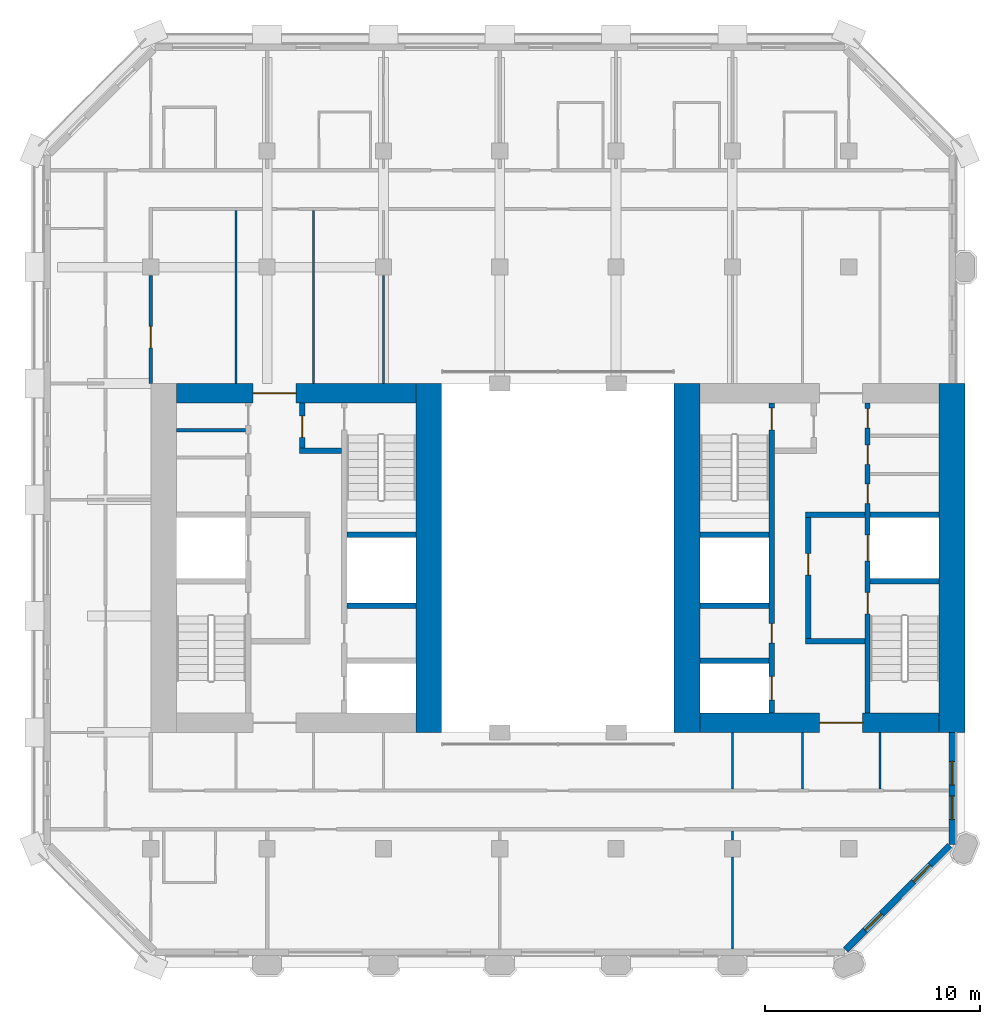
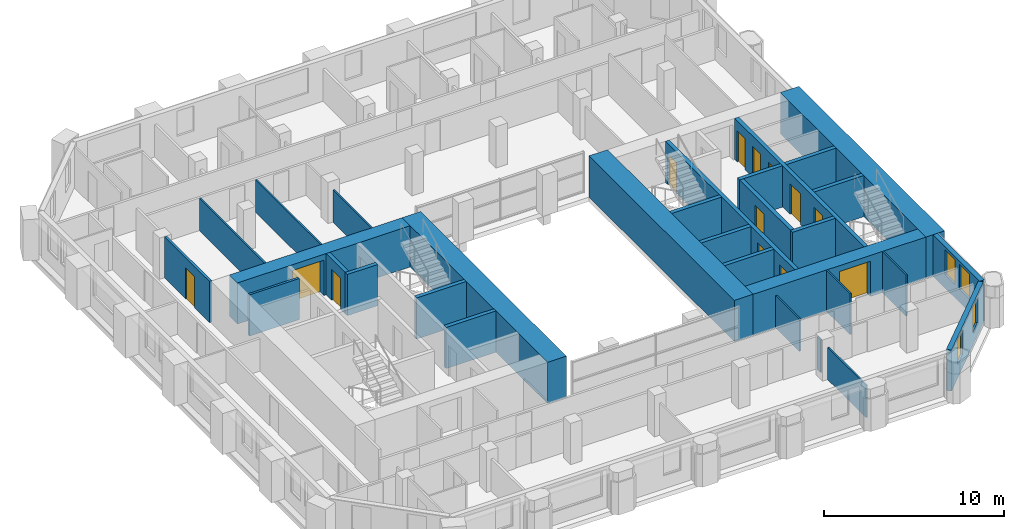
# One storey, part 8 of 14: 31 walls, 13 doors, 4 windows, 17 openings.
"""IFC4 building model written with IfcOpenShell, lengths in metres."""

from ifc_helpers import new_model, si_unit, direction, frame, frame_2d, origin, place, context, subcontext, project, spatial, rectangle, extrude, material, layer, layer_set, type_object, element, fill, save


model = new_model("IFC4")

# Units and contexts
model_context = context("Model", 3, precision=1e-05, world=origin(), true_north=direction((0.0, 1.0)))
body_context = subcontext(model_context, "Body", "Model", "MODEL_VIEW")
ifc_project = project(units=[si_unit("LENGTHUNIT", "METRE"), si_unit("AREAUNIT", "SQUARE_METRE"), si_unit("VOLUMEUNIT", "CUBIC_METRE"), si_unit("PLANEANGLEUNIT", "RADIAN"), si_unit("MASSUNIT", "GRAM", prefix="KILO")], contexts=[model_context])

# Site, building, storey
site_placement = place(None, origin())
site = spatial("IfcSite", under=ifc_project, at=site_placement, CompositionType="ELEMENT")
building_placement = place(site_placement, origin())
building = spatial("IfcBuilding", under=site, at=building_placement, Name="Tabaq Tower and Sports Hall", CompositionType="ELEMENT")
storey_placement = place(building_placement, frame((0.0, 0.0, 230.199951171875)))
storey = spatial("IfcBuildingStorey", under=building, at=storey_placement, Name="L58", CompositionType="ELEMENT", Elevation=230.199951171875)

# Walls
ifc_material_1 = material(Name="Blockwork", Category="masonry")
ifc_layer_1 = layer(ifc_material_1, 0.14990234375)
ifc_layer_set_1 = layer_set([ifc_layer_1], Name="Core room partition 150 Blockwork")
wall_type_1 = type_object("IfcWallType", Name="Core room partition 150 Blockwork", PredefinedType="PARTITIONING", material=ifc_layer_set_1)
wall_1_placement = place(storey_placement, frame((6.60009765625, 30.23193359375, 0.0), z_axis=(0.0, 0.0, 1.0), x_axis=(1.0, 0.0, 0.0)))
element("IfcWall", 1, at=wall_1_placement, inside=storey, type_object=wall_type_1, Name="Core room partition W L58", PredefinedType="PARTITIONING", context=body_context, shape_type="SweptSolid", body=[
    extrude(rectangle(XDim=3.199951171875, YDim=0.14990234375, at=frame_2d((1.60009765625, 0.0))), origin(), (0.0, 0.0, 1.0), 2.800048828125),
])
ifc_material_2 = material(Name="Concrete C50/60", Category="concrete")
ifc_layer_2 = layer(ifc_material_2, 1.199951171875)
ifc_layer_set_2 = layer_set([ifc_layer_2], Name="Core wall 1200 Concrete C50/60")
wall_type_2 = type_object("IfcWallType", Name="Core wall 1200 Concrete C50/60", PredefinedType="SOLIDWALL", material=ifc_layer_set_2)
for number, where, z_axis, x_axis, name in (
    (2, (18.300048828125, 32.39990234375, 0.0), (0.0, 0.0, 1.0), (0.0, -1.0, 0.0), "Core wall W L58"),
    (3, (42.60009765625, 32.39990234375, 0.0), (0.0, 0.0, 1.0), (0.0, -1.0, 0.0), "Core wall E L58"),
    (4, (30.300048828125, 16.199951171875, 0.0), (0.0, 0.0, 1.0), (0.0, 1.0, 0.0), "Core wall E L58"),
):
    element("IfcWall", number, at=place(storey_placement, frame(where, z_axis=z_axis, x_axis=x_axis)), inside=storey, type_object=wall_type_2, Name=name, PredefinedType="SOLIDWALL", context=body_context, shape_type="SweptSolid", body=[
        extrude(rectangle(XDim=16.199951171875, YDim=1.199951171875, at=frame_2d((8.10009765625, 0.0))), origin(), (0.0, 0.0, 1.0), 2.800048828125),
    ])

# Wall, opening, door
ifc_material_3 = material(Name="Concrete C50/60", Category="concrete")
ifc_layer_3 = layer(ifc_material_3, 0.89990234375)
ifc_layer_set_3 = layer_set([ifc_layer_3], Name="Core wall 900 Concrete C50/60")
wall_type_3 = type_object("IfcWallType", Name="Core wall 900 Concrete C50/60", PredefinedType="SOLIDWALL", material=ifc_layer_set_3)
wall_2_placement = place(storey_placement, frame((6.60009765625, 31.949951171875, 0.0), z_axis=(0.0, 0.0, 1.0), x_axis=(1.0, 0.0, 0.0)))
wall_2 = element("IfcWall", 5, at=wall_2_placement, inside=storey, type_object=wall_type_3, Name="Core wall W L58", PredefinedType="SOLIDWALL", context=body_context, shape_type="SweptSolid", body=[
    extrude(rectangle(XDim=11.099853515625, YDim=0.89990234375, at=frame_2d((5.5498046875, 0.0))), origin(), (0.0, 0.0, 1.0), 2.800048828125),
])
opening_1_placement = place(wall_2_placement, frame((3.550048828125, 0.0, 0.0)))
opening_1 = element("IfcOpeningElement", 6, at=opening_1_placement, cuts=wall_2, Name="Opening PD-WL58-02", PredefinedType="OPENING", context=body_context, shape_type="SweptSolid", body=[
    extrude(rectangle(XDim=2.0, YDim=2.39990234375, at=frame_2d((1.0, 1.199951171875))), frame((0.0, 0.449951171875, 0.0), z_axis=(0.0, -1.0, 0.0), x_axis=(1.0, 0.0, 0.0)), (0.0, 0.0, 1.0), 0.89990234375),
])
ifc_material_4 = material(Name="Steel fire door", Category="steel")
door_type_1 = type_object("IfcDoorType", Name="Core entrance door 2000", OperationType="DOUBLE_DOOR_SINGLE_SWING", PredefinedType="DOOR", material=ifc_material_4)
door_1_placement = place(opening_1_placement, origin())
door_1 = element("IfcDoor", 7, at=door_1_placement, inside=storey, type_object=door_type_1, Name="Core entrance north W L58", OperationType="DOUBLE_DOOR_SINGLE_SWING", OverallHeight=2.39990234375, OverallWidth=2.0, PredefinedType="DOOR", context=body_context, shape_type="SweptSolid", body=[
    extrude(rectangle(XDim=2.0, YDim=2.39990234375, at=frame_2d((1.0, 1.199951171875))), frame((0.0, 0.02490234375, 0.0), z_axis=(0.0, -1.0, 0.0), x_axis=(1.0, 0.0, 0.0)), (0.0, 0.0, 1.0), 0.050048828125),
])
fill(opening_1, door_1)

wall_3_placement = place(storey_placement, frame((42.0, 16.64990234375, 0.0), z_axis=(0.0, 0.0, 1.0), x_axis=(-1.0, 0.0, 0.0)))
wall_3 = element("IfcWall", 8, at=wall_3_placement, inside=storey, type_object=wall_type_3, Name="Core wall E L58", PredefinedType="SOLIDWALL", context=body_context, shape_type="SweptSolid", body=[
    extrude(rectangle(XDim=11.10009765625, YDim=0.89990234375, at=frame_2d((5.550048828125, 0.0))), origin(), (0.0, 0.0, 1.0), 2.800048828125),
])
opening_2_placement = place(wall_3_placement, frame((3.550048828125, 0.0, 0.0)))
opening_2 = element("IfcOpeningElement", 9, at=opening_2_placement, cuts=wall_3, Name="Opening PD-EL58-01", PredefinedType="OPENING", context=body_context, shape_type="SweptSolid", body=[
    extrude(rectangle(XDim=2.0, YDim=2.39990234375, at=frame_2d((1.0, 1.199951171875))), frame((0.0, 0.449951171875, 0.0), z_axis=(0.0, -1.0, 0.0), x_axis=(1.0, 0.0, 0.0)), (0.0, 0.0, 1.0), 0.89990234375),
])
door_2_placement = place(opening_2_placement, origin())
door_2 = element("IfcDoor", 10, at=door_2_placement, inside=storey, type_object=door_type_1, Name="Core entrance south E L58", OperationType="DOUBLE_DOOR_SINGLE_SWING", OverallHeight=2.39990234375, OverallWidth=2.0, PredefinedType="DOOR", context=body_context, shape_type="SweptSolid", body=[
    extrude(rectangle(XDim=2.0, YDim=2.39990234375, at=frame_2d((1.0, 1.199951171875))), frame((0.0, 0.02490234375, 0.0), z_axis=(0.0, -1.0, 0.0), x_axis=(1.0, 0.0, 0.0)), (0.0, 0.0, 1.0), 0.050048828125),
])
fill(opening_2, door_2)

# Walls
ifc_material_5 = material(Name="Gypsum board on steel studs", Category="steel")
ifc_layer_4 = layer(ifc_material_5, 0.10009765625)
ifc_layer_set_4 = layer_set([ifc_layer_4], Name="Partition 100 Gypsum board")
wall_type_4 = type_object("IfcWallType", Name="Partition 100 Gypsum board", PredefinedType="PARTITIONING", material=ifc_layer_set_4)
wall_4_placement = place(storey_placement, frame((16.199951171875, 37.405029296875, 0.0), z_axis=(0.0, 0.0, 1.0), x_axis=(0.0, -1.0, 0.0)))
element("IfcWall", 11, at=wall_4_placement, inside=storey, type_object=wall_type_4, Name="Partition wall L58", PredefinedType="PARTITIONING", context=body_context, shape_type="SweptSolid", body=[
    extrude(rectangle(XDim=5.005126953125, YDim=0.10009765625, at=frame_2d((2.50244140625, 0.0))), origin(), (0.0, 0.0, 1.0), 2.199951171875),
])
for number, where, z_axis, x_axis, name in (
    (12, (12.949951171875, 32.39990234375, 0.0), (0.0, 0.0, 1.0), (0.0, 1.0, 0.0), "Partition wall L58"),
    (13, (9.35009765625, 40.425048828125, 0.0), (0.0, 0.0, 1.0), (0.0, -1.0, 0.0), "Partition wall L58"),
):
    element("IfcWall", number, at=place(storey_placement, frame(where, z_axis=z_axis, x_axis=x_axis)), inside=storey, type_object=wall_type_4, Name=name, PredefinedType="PARTITIONING", context=body_context, shape_type="SweptSolid", body=[
        extrude(rectangle(XDim=8.025146484375, YDim=0.10009765625, at=frame_2d((4.0126953125, 0.0))), origin(), (0.0, 0.0, 1.0), 2.199951171875),
    ])
wall_5_placement = place(storey_placement, frame((32.39990234375, 11.625, 0.0), z_axis=(0.0, 0.0, 1.0), x_axis=(0.0, -1.0, 0.0)))
element("IfcWall", 14, at=wall_5_placement, inside=storey, type_object=wall_type_4, Name="Partition wall L58", PredefinedType="PARTITIONING", context=body_context, shape_type="SweptSolid", body=[
    extrude(rectangle(XDim=0.429931640625, YDim=0.10009765625, at=frame_2d((0.21484375, 0.0))), origin(), (0.0, 0.0, 1.0), 2.199951171875),
])
wall_6_placement = place(storey_placement, frame((32.39990234375, 10.405029296875, 0.0), z_axis=(0.0, 0.0, 1.0), x_axis=(0.0, -1.0, 0.0)))
element("IfcWall", 15, at=wall_6_placement, inside=storey, type_object=wall_type_4, Name="Partition wall L58", PredefinedType="PARTITIONING", context=body_context, shape_type="SweptSolid", body=[
    extrude(rectangle(XDim=4.254150390625, YDim=0.10009765625, at=frame_2d((2.126953125, 0.0))), origin(), (0.0, 0.0, 1.0), 2.199951171875),
])
wall_7_placement = place(storey_placement, frame((32.39990234375, 13.574951171875, 0.0), z_axis=(0.0, 0.0, 1.0), x_axis=(0.0, 1.0, 0.0)))
element("IfcWall", 16, at=wall_7_placement, inside=storey, type_object=wall_type_4, Name="Partition wall L58", PredefinedType="PARTITIONING", context=body_context, shape_type="SweptSolid", body=[
    extrude(rectangle(XDim=2.625, YDim=0.10009765625, at=frame_2d((1.3125, 0.0))), origin(), (0.0, 0.0, 1.0), 2.199951171875),
])
for number, where, z_axis, x_axis, name in (
    (17, (39.25, 13.574951171875, 0.0), (0.0, 0.0, 1.0), (0.0, 1.0, 0.0), "Partition wall L58"),
    (18, (35.64990234375, 16.199951171875, 0.0), (0.0, 0.0, 1.0), (0.0, -1.0, 0.0), "Partition wall L58"),
):
    element("IfcWall", number, at=place(storey_placement, frame(where, z_axis=z_axis, x_axis=x_axis)), inside=storey, type_object=wall_type_4, Name=name, PredefinedType="PARTITIONING", context=body_context, shape_type="SweptSolid", body=[
        extrude(rectangle(XDim=2.625, YDim=0.10009765625, at=frame_2d((1.3125, 0.0))), origin(), (0.0, 0.0, 1.0), 2.800048828125),
    ])

# Wall, opening, door
ifc_material_6 = material(Name="Blockwork", Category="masonry")
ifc_layer_5 = layer(ifc_material_6, 0.14990234375)
ifc_layer_set_5 = layer_set([ifc_layer_5], Name="Separating wall 150 Blockwork")
wall_type_5 = type_object("IfcWallType", Name="Separating wall 150 Blockwork", PredefinedType="PARTITIONING", material=ifc_layer_set_5)
wall_8_placement = place(storey_placement, frame((5.39990234375, 32.39990234375, 0.0), z_axis=(0.0, 0.0, 1.0), x_axis=(0.0, 1.0, 0.0)))
wall_8 = element("IfcWall", 19, at=wall_8_placement, inside=storey, type_object=wall_type_5, Name="Separating wall L58", PredefinedType="PARTITIONING", context=body_context, shape_type="SweptSolid", body=[
    extrude(rectangle(XDim=5.005126953125, YDim=0.14990234375, at=frame_2d((2.50244140625, 0.0))), origin(), (0.0, 0.0, 1.0), 2.800048828125),
])
opening_3_placement = place(wall_8_placement, frame((1.654052734375, 0.0, 0.0)))
opening_3 = element("IfcOpeningElement", 20, at=opening_3_placement, cuts=wall_8, Name="Opening L58-011", PredefinedType="OPENING", context=body_context, shape_type="SweptSolid", body=[
    extrude(rectangle(XDim=1.0, YDim=2.10009765625, at=frame_2d((0.5, 1.050048828125))), frame((0.0, 0.074951171875, 0.0), z_axis=(0.0, -1.0, 0.0), x_axis=(1.0, 0.0, 0.0)), (0.0, 0.0, 1.0), 0.14990234375),
])
ifc_material_7 = material(Name="Timber leaf in steel frame", Category="steel")
door_type_2 = type_object("IfcDoorType", Name="Internal door 1000 right hand", OperationType="SINGLE_SWING_RIGHT", PredefinedType="DOOR", material=ifc_material_7)
door_3_placement = place(opening_3_placement, origin())
door_3 = element("IfcDoor", 21, at=door_3_placement, inside=storey, type_object=door_type_2, Name="Internal door L58-011", OperationType="SINGLE_SWING_RIGHT", OverallHeight=2.10009765625, OverallWidth=1.0, PredefinedType="DOOR", context=body_context, shape_type="SweptSolid", body=[
    extrude(rectangle(XDim=1.0, YDim=2.10009765625, at=frame_2d((0.5, 1.050048828125))), frame((0.0, 0.02490234375, 0.0), z_axis=(0.0, -1.0, 0.0), x_axis=(1.0, 0.0, 0.0)), (0.0, 0.0, 1.0), 0.050048828125),
])
fill(opening_3, door_3)

# Walls
ifc_material_8 = material(Name="Concrete C40/50", Category="concrete")
ifc_layer_6 = layer(ifc_material_8, 0.25)
ifc_layer_set_6 = layer_set([ifc_layer_6], Name="Shaft and stair wall 250 Concrete C40/50")
wall_type_6 = type_object("IfcWallType", Name="Shaft and stair wall 250 Concrete C40/50", PredefinedType="SOLIDWALL", material=ifc_layer_set_6)
for number, where, z_axis, x_axis, name in (
    (22, (14.5, 25.375, 0.0), (0.0, 0.0, 1.0), (1.0, 0.0, 0.0), "Stair enclosure wall W L58"),
    (23, (14.5, 22.074951171875, 0.0), (0.0, 0.0, 1.0), (1.0, 0.0, 0.0), "Shaft wall W L58"),
):
    element("IfcWall", number, at=place(storey_placement, frame(where, z_axis=z_axis, x_axis=x_axis)), inside=storey, type_object=wall_type_6, Name=name, PredefinedType="SOLIDWALL", context=body_context, shape_type="SweptSolid", body=[
        extrude(rectangle(XDim=3.199951171875, YDim=0.25, at=frame_2d((1.60009765625, 0.0))), origin(), (0.0, 0.0, 1.0), 2.800048828125),
    ])

# Wall, opening, door
wall_9_placement = place(storey_placement, frame((12.425048828125, 29.39990234375, 0.0), z_axis=(0.0, 0.0, 1.0), x_axis=(0.0, 1.0, 0.0)))
wall_9 = element("IfcWall", 24, at=wall_9_placement, inside=storey, type_object=wall_type_6, Name="Fire-fighting lobby wall W L58", PredefinedType="SOLIDWALL", context=body_context, shape_type="SweptSolid", body=[
    extrude(rectangle(XDim=2.10009765625, YDim=0.25, at=frame_2d((1.050048828125, 0.0))), origin(), (0.0, 0.0, 1.0), 2.800048828125),
])
opening_4_placement = place(wall_9_placement, frame((0.5, 0.0, 0.0)))
opening_4 = element("IfcOpeningElement", 25, at=opening_4_placement, cuts=wall_9, Name="Opening FD-WL58-06", PredefinedType="OPENING", context=body_context, shape_type="SweptSolid", body=[
    extrude(rectangle(XDim=1.0, YDim=2.10009765625, at=frame_2d((0.5, 1.050048828125))), frame((0.0, 0.125, 0.0), z_axis=(0.0, -1.0, 0.0), x_axis=(1.0, 0.0, 0.0)), (0.0, 0.0, 1.0), 0.25),
])
ifc_material_9 = material(Name="Steel fire door", Category="steel")
door_type_3 = type_object("IfcDoorType", Name="Fire-fighting lobby door 1000", OperationType="SINGLE_SWING_LEFT", PredefinedType="DOOR", material=ifc_material_9)
door_4_placement = place(opening_4_placement, origin())
door_4 = element("IfcDoor", 26, at=door_4_placement, inside=storey, type_object=door_type_3, Name="Stair lobby door W L58", OperationType="SINGLE_SWING_LEFT", OverallHeight=2.10009765625, OverallWidth=1.0, PredefinedType="DOOR", context=body_context, shape_type="SweptSolid", body=[
    extrude(rectangle(XDim=1.0, YDim=2.10009765625, at=frame_2d((0.5, 1.050048828125))), frame((0.0, 0.02490234375, 0.0), z_axis=(0.0, -1.0, 0.0), x_axis=(1.0, 0.0, 0.0)), (0.0, 0.0, 1.0), 0.050048828125),
])
fill(opening_4, door_4)

# Wall
wall_10_placement = place(storey_placement, frame((12.300048828125, 29.27490234375, 0.0), z_axis=(0.0, 0.0, 1.0), x_axis=(1.0, 0.0, 0.0)))
element("IfcWall", 27, at=wall_10_placement, inside=storey, type_object=wall_type_6, Name="Fire-fighting lobby wall W L58", PredefinedType="SOLIDWALL", context=body_context, shape_type="SweptSolid", body=[
    extrude(rectangle(XDim=1.949951171875, YDim=0.25, at=frame_2d((0.97509765625, 0.0))), origin(), (0.0, 0.0, 1.0), 2.800048828125),
])

# Wall, openings, doors
wall_11_placement = place(storey_placement, frame((38.675048828125, 17.10009765625, 0.0), z_axis=(0.0, 0.0, 1.0), x_axis=(0.0, 1.0, 0.0)))
wall_11 = element("IfcWall", 28, at=wall_11_placement, inside=storey, type_object=wall_type_6, Name="Shaft wall E L58", PredefinedType="SOLIDWALL", context=body_context, shape_type="SweptSolid", body=[
    extrude(rectangle(XDim=14.39990234375, YDim=0.25, at=frame_2d((7.199951171875, 0.0))), origin(), (0.0, 0.0, 1.0), 2.800048828125),
])
opening_5_placement = place(wall_11_placement, frame((4.60009765625, 0.0, 0.0)))
opening_5 = element("IfcOpeningElement", 29, at=opening_5_placement, cuts=wall_11, Name="Opening SD-EL58-03", PredefinedType="OPENING", context=body_context, shape_type="SweptSolid", body=[
    extrude(rectangle(XDim=1.0, YDim=2.10009765625, at=frame_2d((0.5, 1.050048828125))), frame((0.0, 0.125, 0.0), z_axis=(0.0, -1.0, 0.0), x_axis=(1.0, 0.0, 0.0)), (0.0, 0.0, 1.0), 0.25),
])
opening_6_placement = place(wall_11_placement, frame((7.0625, 0.0, 0.0)))
opening_6 = element("IfcOpeningElement", 30, at=opening_6_placement, cuts=wall_11, Name="Opening LD-FF2-L58", PredefinedType="OPENING", context=body_context, shape_type="SweptSolid", body=[
    extrude(rectangle(XDim=1.199951171875, YDim=2.10009765625, at=frame_2d((0.60009765625, 1.050048828125))), frame((0.0, 0.125, 0.0), z_axis=(0.0, -1.0, 0.0), x_axis=(1.0, 0.0, 0.0)), (0.0, 0.0, 1.0), 0.25),
])
opening_7_placement = place(wall_11_placement, frame((9.7255859375, 0.0, 0.0)))
opening_7 = element("IfcOpeningElement", 31, at=opening_7_placement, cuts=wall_11, Name="Opening RD-EL58-09", PredefinedType="OPENING", context=body_context, shape_type="SweptSolid", body=[
    extrude(rectangle(XDim=0.89990234375, YDim=2.10009765625, at=frame_2d((0.449951171875, 1.050048828125))), frame((0.0, 0.125, 0.0), z_axis=(0.0, -1.0, 0.0), x_axis=(1.0, 0.0, 0.0)), (0.0, 0.0, 1.0), 0.25),
])
opening_8_placement = place(wall_11_placement, frame((11.5390625, 0.0, 0.0)))
opening_8 = element("IfcOpeningElement", 32, at=opening_8_placement, cuts=wall_11, Name="Opening RD-EL58-10", PredefinedType="OPENING", context=body_context, shape_type="SweptSolid", body=[
    extrude(rectangle(XDim=0.89990234375, YDim=2.10009765625, at=frame_2d((0.449951171875, 1.050048828125))), frame((0.0, 0.125, 0.0), z_axis=(0.0, -1.0, 0.0), x_axis=(1.0, 0.0, 0.0)), (0.0, 0.0, 1.0), 0.25),
])
opening_9_placement = place(wall_11_placement, frame((13.22607421875, 0.0, 0.0)))
opening_9 = element("IfcOpeningElement", 33, at=opening_9_placement, cuts=wall_11, Name="Opening RD-EL58-11", PredefinedType="OPENING", context=body_context, shape_type="SweptSolid", body=[
    extrude(rectangle(XDim=0.89990234375, YDim=2.10009765625, at=frame_2d((0.449951171875, 1.050048828125))), frame((0.0, 0.125, 0.0), z_axis=(0.0, -1.0, 0.0), x_axis=(1.0, 0.0, 0.0)), (0.0, 0.0, 1.0), 0.25),
])
ifc_material_10 = material(Name="Steel fire door", Category="steel")
door_type_4 = type_object("IfcDoorType", Name="Core room door 900", OperationType="SINGLE_SWING_LEFT", PredefinedType="DOOR", material=ifc_material_10)
door_5_placement = place(opening_7_placement, origin())
door_5 = element("IfcDoor", 34, at=door_5_placement, inside=storey, type_object=door_type_4, Name="Door Accessible WC E L58", OperationType="SINGLE_SWING_LEFT", OverallHeight=2.10009765625, OverallWidth=0.89990234375, PredefinedType="DOOR", context=body_context, shape_type="SweptSolid", body=[
    extrude(rectangle(XDim=0.89990234375, YDim=2.10009765625, at=frame_2d((0.449951171875, 1.050048828125))), frame((0.0, 0.02490234375, 0.0), z_axis=(0.0, -1.0, 0.0), x_axis=(1.0, 0.0, 0.0)), (0.0, 0.0, 1.0), 0.050048828125),
])
fill(opening_7, door_5)
door_6_placement = place(opening_8_placement, origin())
door_6 = element("IfcDoor", 35, at=door_6_placement, inside=storey, type_object=door_type_4, Name="Door Unisex WC E L58", OperationType="SINGLE_SWING_LEFT", OverallHeight=2.10009765625, OverallWidth=0.89990234375, PredefinedType="DOOR", context=body_context, shape_type="SweptSolid", body=[
    extrude(rectangle(XDim=0.89990234375, YDim=2.10009765625, at=frame_2d((0.449951171875, 1.050048828125))), frame((0.0, 0.02490234375, 0.0), z_axis=(0.0, -1.0, 0.0), x_axis=(1.0, 0.0, 0.0)), (0.0, 0.0, 1.0), 0.050048828125),
])
fill(opening_8, door_6)
door_7_placement = place(opening_9_placement, origin())
door_7 = element("IfcDoor", 36, at=door_7_placement, inside=storey, type_object=door_type_4, Name="Door Cleaner's Store E L58", OperationType="SINGLE_SWING_LEFT", OverallHeight=2.10009765625, OverallWidth=0.89990234375, PredefinedType="DOOR", context=body_context, shape_type="SweptSolid", body=[
    extrude(rectangle(XDim=0.89990234375, YDim=2.10009765625, at=frame_2d((0.449951171875, 1.050048828125))), frame((0.0, 0.02490234375, 0.0), z_axis=(0.0, -1.0, 0.0), x_axis=(1.0, 0.0, 0.0)), (0.0, 0.0, 1.0), 0.050048828125),
])
fill(opening_9, door_7)
ifc_material_11 = material(Name="Stainless steel", Category="steel")
door_type_5 = type_object("IfcDoorType", Name="Lift landing door 1200", OperationType="DOUBLE_DOOR_SLIDING", PredefinedType="DOOR", material=ifc_material_11)
door_8_placement = place(opening_6_placement, origin())
door_8 = element("IfcDoor", 37, at=door_8_placement, inside=storey, type_object=door_type_5, Name="Lift landing door FF2 E L58", OperationType="DOUBLE_DOOR_SLIDING", OverallHeight=2.10009765625, OverallWidth=1.199951171875, PredefinedType="DOOR", context=body_context, shape_type="SweptSolid", body=[
    extrude(rectangle(XDim=1.199951171875, YDim=2.10009765625, at=frame_2d((0.60009765625, 1.050048828125))), frame((0.0, 0.02490234375, 0.0), z_axis=(0.0, -1.0, 0.0), x_axis=(1.0, 0.0, 0.0)), (0.0, 0.0, 1.0), 0.050048828125),
])
fill(opening_6, door_8)
ifc_material_12 = material(Name="Steel fire door", Category="steel")
door_type_6 = type_object("IfcDoorType", Name="Stair door 1000", OperationType="SINGLE_SWING_LEFT", PredefinedType="DOOR", material=ifc_material_12)
door_9_placement = place(opening_5_placement, origin())
door_9 = element("IfcDoor", 38, at=door_9_placement, inside=storey, type_object=door_type_6, Name="Stair door ST3 E L58", OperationType="SINGLE_SWING_LEFT", OverallHeight=2.10009765625, OverallWidth=1.0, PredefinedType="DOOR", context=body_context, shape_type="SweptSolid", body=[
    extrude(rectangle(XDim=1.0, YDim=2.10009765625, at=frame_2d((0.5, 1.050048828125))), frame((0.0, 0.02490234375, 0.0), z_axis=(0.0, -1.0, 0.0), x_axis=(1.0, 0.0, 0.0)), (0.0, 0.0, 1.0), 0.050048828125),
])
fill(opening_5, door_9)

wall_12_placement = place(storey_placement, frame((34.22509765625, 17.10009765625, 0.0), z_axis=(0.0, 0.0, 1.0), x_axis=(0.0, 1.0, 0.0)))
wall_12 = element("IfcWall", 39, at=wall_12_placement, inside=storey, type_object=wall_type_6, Name="Shaft wall E L58", PredefinedType="SOLIDWALL", context=body_context, shape_type="SweptSolid", body=[
    extrude(rectangle(XDim=14.39990234375, YDim=0.25, at=frame_2d((7.199951171875, 0.0))), origin(), (0.0, 0.0, 1.0), 2.800048828125),
])
opening_10_placement = place(wall_12_placement, frame((13.14990234375, 0.0, 0.0)))
opening_10 = element("IfcOpeningElement", 40, at=opening_10_placement, cuts=wall_12, Name="Opening SD-EL58-05", PredefinedType="OPENING", context=body_context, shape_type="SweptSolid", body=[
    extrude(rectangle(XDim=1.0, YDim=2.10009765625, at=frame_2d((0.5, 1.050048828125))), frame((0.0, 0.125, 0.0), z_axis=(0.0, -1.0, 0.0), x_axis=(1.0, 0.0, 0.0)), (0.0, 0.0, 1.0), 0.25),
])
opening_11_placement = place(wall_12_placement, frame((0.60009765625, 0.0, 0.0)))
opening_11 = element("IfcOpeningElement", 41, at=opening_11_placement, cuts=wall_12, Name="Opening LD-MR2-L58", PredefinedType="OPENING", context=body_context, shape_type="SweptSolid", body=[
    extrude(rectangle(XDim=1.10009765625, YDim=2.10009765625, at=frame_2d((0.550048828125, 1.050048828125))), frame((0.0, 0.125, 0.0), z_axis=(0.0, -1.0, 0.0), x_axis=(1.0, 0.0, 0.0)), (0.0, 0.0, 1.0), 0.25),
])
opening_12_placement = place(wall_12_placement, frame((3.25, 0.0, 0.0)))
opening_12 = element("IfcOpeningElement", 42, at=opening_12_placement, cuts=wall_12, Name="Opening RD-EL58-12", PredefinedType="OPENING", context=body_context, shape_type="SweptSolid", body=[
    extrude(rectangle(XDim=0.89990234375, YDim=2.10009765625, at=frame_2d((0.449951171875, 1.050048828125))), frame((0.0, 0.125, 0.0), z_axis=(0.0, -1.0, 0.0), x_axis=(1.0, 0.0, 0.0)), (0.0, 0.0, 1.0), 0.25),
])
door_10_placement = place(opening_12_placement, origin())
door_10 = element("IfcDoor", 43, at=door_10_placement, inside=storey, type_object=door_type_4, Name="Door Cleaner's Store E L58", OperationType="SINGLE_SWING_LEFT", OverallHeight=2.10009765625, OverallWidth=0.89990234375, PredefinedType="DOOR", context=body_context, shape_type="SweptSolid", body=[
    extrude(rectangle(XDim=0.89990234375, YDim=2.10009765625, at=frame_2d((0.449951171875, 1.050048828125))), frame((0.0, 0.02490234375, 0.0), z_axis=(0.0, -1.0, 0.0), x_axis=(1.0, 0.0, 0.0)), (0.0, 0.0, 1.0), 0.050048828125),
])
fill(opening_12, door_10)
ifc_material_13 = material(Name="Stainless steel", Category="steel")
door_type_7 = type_object("IfcDoorType", Name="Lift landing door 1100", OperationType="DOUBLE_DOOR_SLIDING", PredefinedType="DOOR", material=ifc_material_13)
door_11_placement = place(opening_11_placement, origin())
door_11 = element("IfcDoor", 44, at=door_11_placement, inside=storey, type_object=door_type_7, Name="Lift landing door MR2 E L58", OperationType="DOUBLE_DOOR_SLIDING", OverallHeight=2.10009765625, OverallWidth=1.10009765625, PredefinedType="DOOR", context=body_context, shape_type="SweptSolid", body=[
    extrude(rectangle(XDim=1.10009765625, YDim=2.10009765625, at=frame_2d((0.550048828125, 1.050048828125))), frame((0.0, 0.02490234375, 0.0), z_axis=(0.0, -1.0, 0.0), x_axis=(1.0, 0.0, 0.0)), (0.0, 0.0, 1.0), 0.050048828125),
])
fill(opening_11, door_11)
door_12_placement = place(opening_10_placement, origin())
door_12 = element("IfcDoor", 45, at=door_12_placement, inside=storey, type_object=door_type_6, Name="Stair door ST4 E L58", OperationType="SINGLE_SWING_LEFT", OverallHeight=2.10009765625, OverallWidth=1.0, PredefinedType="DOOR", context=body_context, shape_type="SweptSolid", body=[
    extrude(rectangle(XDim=1.0, YDim=2.10009765625, at=frame_2d((0.5, 1.050048828125))), frame((0.0, 0.02490234375, 0.0), z_axis=(0.0, -1.0, 0.0), x_axis=(1.0, 0.0, 0.0)), (0.0, 0.0, 1.0), 0.050048828125),
])
fill(opening_10, door_12)

# Walls
wall_13_placement = place(storey_placement, frame((38.800048828125, 23.22509765625, 0.0), z_axis=(0.0, 0.0, 1.0), x_axis=(1.0, 0.0, 0.0)))
element("IfcWall", 46, at=wall_13_placement, inside=storey, type_object=wall_type_6, Name="Stair enclosure wall E L58", PredefinedType="SOLIDWALL", context=body_context, shape_type="SweptSolid", body=[
    extrude(rectangle(XDim=3.199951171875, YDim=0.25, at=frame_2d((1.60009765625, 0.0))), origin(), (0.0, 0.0, 1.0), 2.800048828125),
])
for number, where, z_axis, x_axis, name in (
    (47, (30.89990234375, 25.375, 0.0), (0.0, 0.0, 1.0), (1.0, 0.0, 0.0), "Stair enclosure wall E L58"),
    (48, (30.89990234375, 22.074951171875, 0.0), (0.0, 0.0, 1.0), (1.0, 0.0, 0.0), "Shaft wall E L58"),
):
    element("IfcWall", number, at=place(storey_placement, frame(where, z_axis=z_axis, x_axis=x_axis)), inside=storey, type_object=wall_type_6, Name=name, PredefinedType="SOLIDWALL", context=body_context, shape_type="SweptSolid", body=[
        extrude(rectangle(XDim=3.2001953125, YDim=0.25, at=frame_2d((1.60009765625, 0.0))), origin(), (0.0, 0.0, 1.0), 2.800048828125),
    ])
wall_14_placement = place(storey_placement, frame((38.800048828125, 26.300048828125, 0.0), z_axis=(0.0, 0.0, 1.0), x_axis=(1.0, 0.0, 0.0)))
element("IfcWall", 49, at=wall_14_placement, inside=storey, type_object=wall_type_6, Name="Shaft wall E L58", PredefinedType="SOLIDWALL", context=body_context, shape_type="SweptSolid", body=[
    extrude(rectangle(XDim=3.199951171875, YDim=0.25, at=frame_2d((1.60009765625, 0.0))), origin(), (0.0, 0.0, 1.0), 2.800048828125),
])
for number, where, z_axis, x_axis, name in (
    (50, (35.800048828125, 26.300048828125, 0.0), (0.0, 0.0, 1.0), (1.0, 0.0, 0.0), "Fire-fighting lobby wall E L58"),
    (51, (35.800048828125, 20.425048828125, 0.0), (0.0, 0.0, 1.0), (1.0, 0.0, 0.0), "Fire-fighting lobby wall E L58"),
):
    element("IfcWall", number, at=place(storey_placement, frame(where, z_axis=z_axis, x_axis=x_axis)), inside=storey, type_object=wall_type_6, Name=name, PredefinedType="SOLIDWALL", context=body_context, shape_type="SweptSolid", body=[
        extrude(rectangle(XDim=2.75, YDim=0.25, at=frame_2d((1.375, 0.0))), origin(), (0.0, 0.0, 1.0), 2.800048828125),
    ])

# Wall, opening, door
wall_15_placement = place(storey_placement, frame((35.925048828125, 20.550048828125, 0.0), z_axis=(0.0, 0.0, 1.0), x_axis=(0.0, 1.0, 0.0)))
wall_15 = element("IfcWall", 52, at=wall_15_placement, inside=storey, type_object=wall_type_6, Name="Fire-fighting lobby wall E L58", PredefinedType="SOLIDWALL", context=body_context, shape_type="SweptSolid", body=[
    extrude(rectangle(XDim=5.625, YDim=0.25, at=frame_2d((2.8125, 0.0))), origin(), (0.0, 0.0, 1.0), 2.800048828125),
])
opening_13_placement = place(wall_15_placement, frame((2.949951171875, 0.0, 0.0)))
opening_13 = element("IfcOpeningElement", 53, at=opening_13_placement, cuts=wall_15, Name="Opening FD-EL58-04", PredefinedType="OPENING", context=body_context, shape_type="SweptSolid", body=[
    extrude(rectangle(XDim=1.0, YDim=2.10009765625, at=frame_2d((0.5, 1.050048828125))), frame((0.0, 0.125, 0.0), z_axis=(0.0, -1.0, 0.0), x_axis=(1.0, 0.0, 0.0)), (0.0, 0.0, 1.0), 0.25),
])
door_13_placement = place(opening_13_placement, origin())
door_13 = element("IfcDoor", 54, at=door_13_placement, inside=storey, type_object=door_type_3, Name="Fire-fighting lobby door E L58", OperationType="SINGLE_SWING_LEFT", OverallHeight=2.10009765625, OverallWidth=1.0, PredefinedType="DOOR", context=body_context, shape_type="SweptSolid", body=[
    extrude(rectangle(XDim=1.0, YDim=2.10009765625, at=frame_2d((0.5, 1.050048828125))), frame((0.0, 0.02490234375, 0.0), z_axis=(0.0, -1.0, 0.0), x_axis=(1.0, 0.0, 0.0)), (0.0, 0.0, 1.0), 0.050048828125),
])
fill(opening_13, door_13)

# Wall
wall_16_placement = place(storey_placement, frame((30.89990234375, 19.52490234375, 0.0), z_axis=(0.0, 0.0, 1.0), x_axis=(1.0, 0.0, 0.0)))
element("IfcWall", 55, at=wall_16_placement, inside=storey, type_object=wall_type_6, Name="Shaft wall E L58", PredefinedType="SOLIDWALL", context=body_context, shape_type="SweptSolid", body=[
    extrude(rectangle(XDim=3.2001953125, YDim=0.25, at=frame_2d((1.60009765625, 0.0))), origin(), (0.0, 0.0, 1.0), 2.800048828125),
])

# Wall, openings, windows
ifc_material_14 = material(Name="White precast concrete C60/75", Category="concrete")
ifc_layer_7 = layer(ifc_material_14, 0.300048828125)
ifc_layer_set_7 = layer_set([ifc_layer_7], Name="White precast concrete C60/75 external wall 300")
wall_type_7 = type_object("IfcWallType", Name="White precast concrete C60/75 external wall 300", PredefinedType="SOLIDWALL", material=ifc_layer_set_7)
wall_17_placement = place(storey_placement, frame((37.650390625, 6.098876953125, 0.0), z_axis=(0.0, 0.0, 1.0), x_axis=(0.707106781187, 0.707106781187, 0.0)))
wall_17 = element("IfcWall", 56, at=wall_17_placement, inside=storey, type_object=wall_type_7, Name="External Wall L58 SE", PredefinedType="SOLIDWALL", context=body_context, shape_type="SweptSolid", body=[
    extrude(rectangle(XDim=6.85986328125, YDim=0.300048828125, at=frame_2d((3.429931640625, 0.0))), origin(), (0.0, 0.0, 1.0), 2.800048828125),
])
opening_14_placement = place(wall_17_placement, frame((1.27978515625, 0.0, 0.89990234375)))
opening_14 = element("IfcOpeningElement", 57, at=opening_14_placement, cuts=wall_17, Name="Opening W1B", PredefinedType="OPENING", context=body_context, shape_type="SweptSolid", body=[
    extrude(rectangle(XDim=1.10009765625, YDim=1.699951171875, at=frame_2d((0.550048828125, 0.85009765625))), frame((0.0, 0.16015625, 0.0), z_axis=(0.0, -1.0, 0.0), x_axis=(1.0, 0.0, 0.0)), (0.0, 0.0, 1.0), 0.320068359375),
])
opening_15_placement = place(wall_17_placement, frame((4.479736328125, 0.0, 0.89990234375)))
opening_15 = element("IfcOpeningElement", 58, at=opening_15_placement, cuts=wall_17, Name="Opening W1B", PredefinedType="OPENING", context=body_context, shape_type="SweptSolid", body=[
    extrude(rectangle(XDim=1.10009765625, YDim=1.699951171875, at=frame_2d((0.550048828125, 0.85009765625))), frame((0.0, 0.16015625, 0.0), z_axis=(0.0, -1.0, 0.0), x_axis=(1.0, 0.0, 0.0)), (0.0, 0.0, 1.0), 0.320068359375),
])
ifc_material_15 = material(Name="Aluminium framed clear glazing", Category="aluminium")
window_type = type_object("IfcWindowType", Name="Window W1B", PartitioningType="SINGLE_PANEL", PredefinedType="WINDOW", material=ifc_material_15)
window_1_placement = place(opening_14_placement, origin())
window_1 = element("IfcWindow", 59, at=window_1_placement, inside=storey, type_object=window_type, Name="Window W1B L58", OverallHeight=1.699951171875, OverallWidth=1.10009765625, PartitioningType="SINGLE_PANEL", PredefinedType="WINDOW", context=body_context, shape_type="SweptSolid", body=[
    extrude(rectangle(XDim=1.10009765625, YDim=1.699951171875, at=frame_2d((0.550048828125, 0.85009765625))), frame((0.0, 0.030029296875, 0.0), z_axis=(0.0, -1.0, 0.0), x_axis=(1.0, 0.0, 0.0)), (0.0, 0.0, 1.0), 0.06005859375),
])
fill(opening_14, window_1)
window_2_placement = place(opening_15_placement, origin())
window_2 = element("IfcWindow", 60, at=window_2_placement, inside=storey, type_object=window_type, Name="Window W1B L58", OverallHeight=1.699951171875, OverallWidth=1.10009765625, PartitioningType="SINGLE_PANEL", PredefinedType="WINDOW", context=body_context, shape_type="SweptSolid", body=[
    extrude(rectangle(XDim=1.10009765625, YDim=1.699951171875, at=frame_2d((0.550048828125, 0.85009765625))), frame((0.0, 0.030029296875, 0.0), z_axis=(0.0, -1.0, 0.0), x_axis=(1.0, 0.0, 0.0)), (0.0, 0.0, 1.0), 0.06005859375),
])
fill(opening_15, window_2)

wall_18_placement = place(storey_placement, frame((42.60009765625, 10.986328125, 0.0), z_axis=(0.0, 0.0, 1.0), x_axis=(0.0, 1.0, 0.0)))
wall_18 = element("IfcWall", 61, at=wall_18_placement, inside=storey, type_object=wall_type_7, Name="External Wall L58 E", PredefinedType="SOLIDWALL", context=body_context, shape_type="SweptSolid", body=[
    extrude(rectangle(XDim=5.213623046875, YDim=0.300048828125, at=frame_2d((2.60693359375, 0.0))), origin(), (0.0, 0.0, 1.0), 2.800048828125),
])
opening_16_placement = place(wall_18_placement, frame((1.16357421875, 0.0, 0.89990234375)))
opening_16 = element("IfcOpeningElement", 62, at=opening_16_placement, cuts=wall_18, Name="Opening W1B", PredefinedType="OPENING", context=body_context, shape_type="SweptSolid", body=[
    extrude(rectangle(XDim=1.10009765625, YDim=1.699951171875, at=frame_2d((0.550048828125, 0.85009765625))), frame((0.0, 0.16015625, 0.0), z_axis=(0.0, -1.0, 0.0), x_axis=(1.0, 0.0, 0.0)), (0.0, 0.0, 1.0), 0.320068359375),
])
opening_17_placement = place(wall_18_placement, frame((2.763671875, 0.0, 0.89990234375)))
opening_17 = element("IfcOpeningElement", 63, at=opening_17_placement, cuts=wall_18, Name="Opening W1B", PredefinedType="OPENING", context=body_context, shape_type="SweptSolid", body=[
    extrude(rectangle(XDim=1.10009765625, YDim=1.699951171875, at=frame_2d((0.550048828125, 0.85009765625))), frame((0.0, 0.16015625, 0.0), z_axis=(0.0, -1.0, 0.0), x_axis=(1.0, 0.0, 0.0)), (0.0, 0.0, 1.0), 0.320068359375),
])
window_3_placement = place(opening_16_placement, origin())
window_3 = element("IfcWindow", 64, at=window_3_placement, inside=storey, type_object=window_type, Name="Window W1B L58", OverallHeight=1.699951171875, OverallWidth=1.10009765625, PartitioningType="SINGLE_PANEL", PredefinedType="WINDOW", context=body_context, shape_type="SweptSolid", body=[
    extrude(rectangle(XDim=1.10009765625, YDim=1.699951171875, at=frame_2d((0.550048828125, 0.85009765625))), frame((0.0, 0.030029296875, 0.0), z_axis=(0.0, -1.0, 0.0), x_axis=(1.0, 0.0, 0.0)), (0.0, 0.0, 1.0), 0.06005859375),
])
fill(opening_16, window_3)
window_4_placement = place(opening_17_placement, origin())
window_4 = element("IfcWindow", 65, at=window_4_placement, inside=storey, type_object=window_type, Name="Window W1B L58", OverallHeight=1.699951171875, OverallWidth=1.10009765625, PartitioningType="SINGLE_PANEL", PredefinedType="WINDOW", context=body_context, shape_type="SweptSolid", body=[
    extrude(rectangle(XDim=1.10009765625, YDim=1.699951171875, at=frame_2d((0.550048828125, 0.85009765625))), frame((0.0, 0.030029296875, 0.0), z_axis=(0.0, -1.0, 0.0), x_axis=(1.0, 0.0, 0.0)), (0.0, 0.0, 1.0), 0.06005859375),
])
fill(opening_17, window_4)

save(model, "model.ifc")
